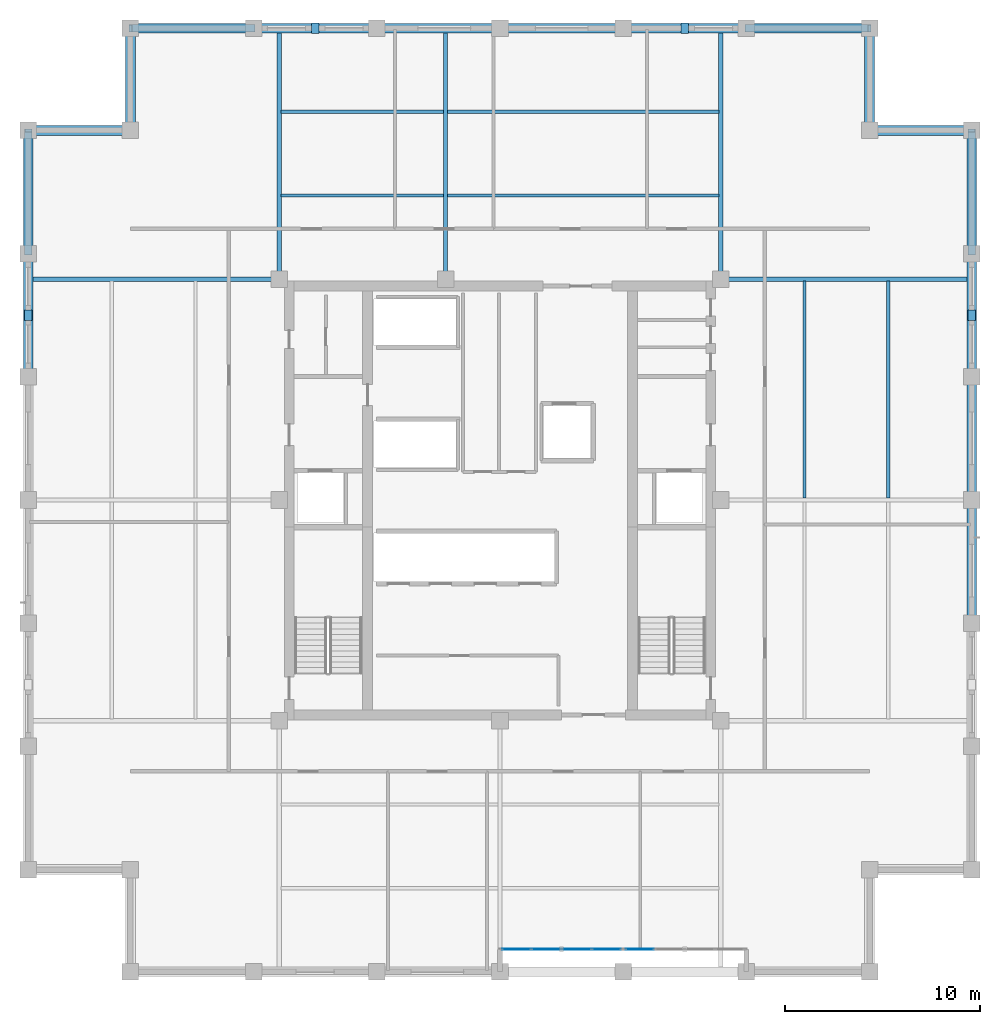
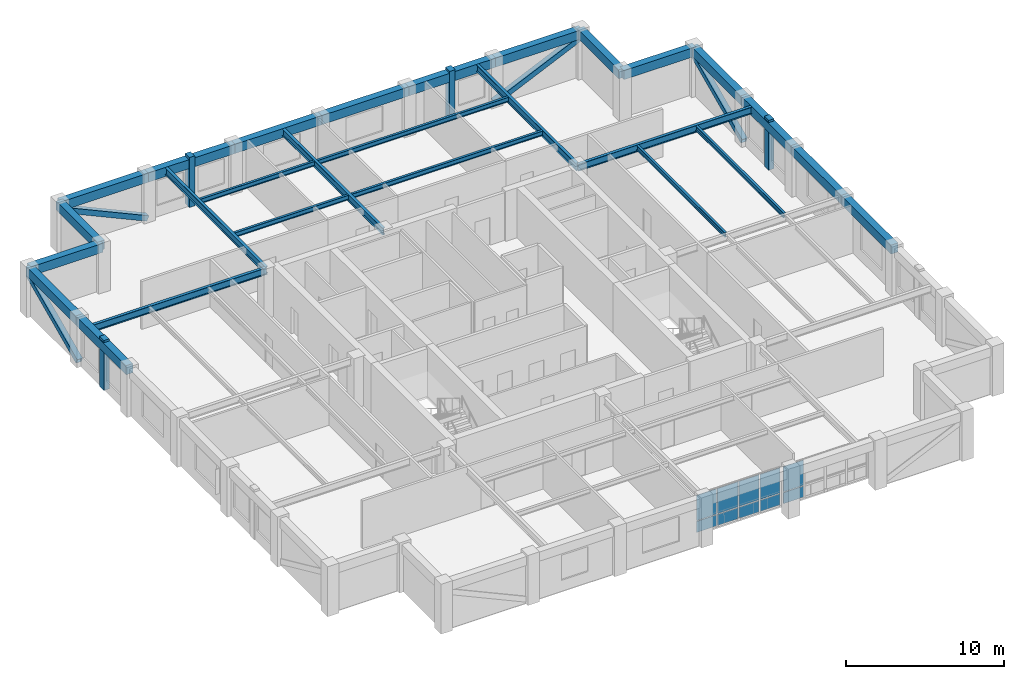
# One storey, part 5 of 13: 27 beams, 10 plates, 8 members, 2 elements without a shape of their own.
"""IFC4 building model written with IfcOpenShell, lengths in metres."""

from ifc_helpers import new_model, si_unit, direction, frame, origin, origin_2d, place, context, subcontext, project, spatial, rectangle, hollow_rectangle, i_section, extrude, material, layer, layer_set, material_profile, profile_set, type_object, element, aggregate, save


model = new_model("IFC4")

# Units and contexts
model_context = context("Model", 3, precision=1e-05, world=origin(), true_north=direction((0.0, 1.0)))
body_context = subcontext(model_context, "Body", "Model", "MODEL_VIEW")
ifc_project = project(units=[si_unit("LENGTHUNIT", "METRE"), si_unit("AREAUNIT", "SQUARE_METRE"), si_unit("VOLUMEUNIT", "CUBIC_METRE"), si_unit("PLANEANGLEUNIT", "RADIAN"), si_unit("MASSUNIT", "GRAM", prefix="KILO")], contexts=[model_context])

# Site, building, storey
site_placement = place(None, origin())
site = spatial("IfcSite", under=ifc_project, at=site_placement, CompositionType="ELEMENT")
building_placement = place(site_placement, origin())
building = spatial("IfcBuilding", under=site, at=building_placement, Name="Nhamokura Convention Tower", CompositionType="ELEMENT")
storey_placement = place(building_placement, frame((0.0, 0.0, 206.14990234375)))
storey = spatial("IfcBuildingStorey", under=building, at=storey_placement, Name="L50", CompositionType="ELEMENT", Elevation=206.14990234375)

# Members
ifc_material_1 = material(Name="Bronze-pigmented precast concrete C45/55", Category="concrete")
ifc_material_profile_1 = material_profile(ifc_material_1, rectangle(XDim=0.39990234375, YDim=0.550048828125, at=origin_2d()))
ifc_profile_set_1 = profile_set([ifc_material_profile_1], Name="Bronze-pigmented precast concrete C45/55")
member_type_1 = type_object("IfcMemberType", Name="BronzePilaster_550", PredefinedType="USERDEFINED", material=ifc_profile_set_1)
for number, where, z_axis, x_axis, name in (
    (1, (22.5, 56.25, 0.0), (0.0, 0.0, 1.0), (1.0, 0.0, 0.0), "L50 Engaged Frame Pilaster NORTH 1"),
    (2, (41.5, 56.25, 0.0), (0.0, 0.0, 1.0), (1.0, 0.0, 0.0), "L50 Engaged Frame Pilaster NORTH 4"),
    (3, (7.75, 41.5, 0.0), (0.0, 0.0, 1.0), (1.0, 0.0, 0.0), "L50 Engaged Frame Pilaster WEST 4"),
    (4, (56.25, 41.5, 0.0), (0.0, 0.0, 1.0), (1.0, 0.0, 0.0), "L50 Engaged Frame Pilaster EAST 4"),
):
    element("IfcMember", number, at=place(storey_placement, frame(where, z_axis=z_axis, x_axis=x_axis)), inside=storey, type_object=member_type_1, Name=name, ObjectType="PILASTER_TRIM", PredefinedType="USERDEFINED", context=body_context, shape_type="SweptSolid", body=[
        extrude(rectangle(XDim=0.39990234375, YDim=0.550048828125, at=origin_2d()), origin(), (0.0, 0.0, 1.0), 3.85009765625),
    ])

# Beams
ifc_material_2 = material(Name="Steel ASTM A992 Gr 50", Category="steel")
ifc_material_profile_2 = material_profile(ifc_material_2, i_section(OverallWidth=0.172119140625, OverallDepth=0.35791015625, WebThickness=0.0078125, FlangeThickness=0.01318359375, at=origin_2d()))
ifc_profile_set_2 = profile_set([ifc_material_profile_2], Name="Steel ASTM A992 Gr 50")
beam_type_1 = type_object("IfcBeamType", Name="FloorJoist_W360X57", PredefinedType="JOIST", material=ifc_profile_set_2)
beam_1_placement = place(storey_placement, frame((20.75341796875, 47.64990234375, 3.506103515625), z_axis=(1.0, 0.0, 0.0), x_axis=(0.0, 1.0, 0.0)))
element("IfcBeam", 5, at=beam_1_placement, inside=storey, type_object=beam_type_1, Name="L50 Composite Floor Joist N1A", PredefinedType="JOIST", context=body_context, shape_type="SweptSolid", body=[
    extrude(i_section(OverallWidth=0.172119140625, OverallDepth=0.35791015625, WebThickness=0.0078125, FlangeThickness=0.01318359375, at=origin_2d()), origin(), (0.0, 0.0, 1.0), 8.343017578125),
])
beam_2_placement = place(storey_placement, frame((29.303466796875, 47.64990234375, 3.506103515625), z_axis=(1.0, 0.0, 0.0), x_axis=(0.0, 1.0, 0.0)))
element("IfcBeam", 6, at=beam_2_placement, inside=storey, type_object=beam_type_1, Name="L50 Composite Floor Joist N1B", PredefinedType="JOIST", context=body_context, shape_type="SweptSolid", body=[
    extrude(i_section(OverallWidth=0.172119140625, OverallDepth=0.35791015625, WebThickness=0.0078125, FlangeThickness=0.01318359375, at=origin_2d()), origin(), (0.0, 0.0, 1.0), 13.943115234375),
])
beam_3_placement = place(storey_placement, frame((20.75341796875, 51.949951171875, 3.506103515625), z_axis=(1.0, 0.0, 0.0), x_axis=(0.0, 1.0, 0.0)))
element("IfcBeam", 7, at=beam_3_placement, inside=storey, type_object=beam_type_1, Name="L50 Composite Floor Joist N2A", PredefinedType="JOIST", context=body_context, shape_type="SweptSolid", body=[
    extrude(i_section(OverallWidth=0.172119140625, OverallDepth=0.35791015625, WebThickness=0.0078125, FlangeThickness=0.01318359375, at=origin_2d()), origin(), (0.0, 0.0, 1.0), 8.343017578125),
])
beam_4_placement = place(storey_placement, frame((29.303466796875, 51.949951171875, 3.506103515625), z_axis=(1.0, 0.0, 0.0), x_axis=(0.0, 1.0, 0.0)))
element("IfcBeam", 8, at=beam_4_placement, inside=storey, type_object=beam_type_1, Name="L50 Composite Floor Joist N2B", PredefinedType="JOIST", context=body_context, shape_type="SweptSolid", body=[
    extrude(i_section(OverallWidth=0.172119140625, OverallDepth=0.35791015625, WebThickness=0.0078125, FlangeThickness=0.01318359375, at=origin_2d()), origin(), (0.0, 0.0, 1.0), 13.943115234375),
])
for number, where, z_axis, x_axis, name in (
    (9, (47.64990234375, 32.103515625, 3.506103515625), (0.0, 1.0, 0.0), (-1.0, 0.0, 0.0), "L50 Composite Floor Joist E1B"),
    (10, (51.949951171875, 32.103515625, 3.506103515625), (0.0, 1.0, 0.0), (-1.0, 0.0, 0.0), "L50 Composite Floor Joist E2B"),
):
    element("IfcBeam", number, at=place(storey_placement, frame(where, z_axis=z_axis, x_axis=x_axis)), inside=storey, type_object=beam_type_1, Name=name, PredefinedType="JOIST", context=body_context, shape_type="SweptSolid", body=[
        extrude(i_section(OverallWidth=0.172119140625, OverallDepth=0.35791015625, WebThickness=0.0078125, FlangeThickness=0.01318359375, at=origin_2d()), origin(), (0.0, 0.0, 1.0), 11.14306640625),
    ])
ifc_material_3 = material(Name="Steel ASTM A992 Gr 50", Category="steel")
ifc_material_profile_3 = material_profile(ifc_material_3, i_section(OverallWidth=0.2109375, OverallDepth=0.5390625, WebThickness=0.01171875, FlangeThickness=0.018798828125, at=origin_2d()))
ifc_profile_set_3 = profile_set([ifc_material_profile_3], Name="Steel ASTM A992 Gr 50")
beam_type_2 = type_object("IfcBeamType", Name="PrimaryGirder_W530X109", PredefinedType="BEAM", material=ifc_profile_set_3)
for number, where, z_axis, x_axis, name in (
    (11, (20.64990234375, 43.35009765625, 3.41552734375), (0.0, 1.0, 0.0), (-1.0, 0.0, 0.0), "L50 Primary Floor Girder PG-N1"),
    (12, (29.199951171875, 43.35009765625, 3.41552734375), (0.0, 1.0, 0.0), (-1.0, 0.0, 0.0), "L50 Primary Floor Girder PG-N2"),
    (13, (43.35009765625, 43.35009765625, 3.41552734375), (0.0, 1.0, 0.0), (-1.0, 0.0, 0.0), "L50 Primary Floor Girder PG-N3"),
    (14, (7.75, 43.35009765625, 3.41552734375), (1.0, 0.0, 0.0), (0.0, 1.0, 0.0), "L50 Primary Floor Girder PG-W3"),
    (15, (43.35009765625, 43.35009765625, 3.41552734375), (1.0, 0.0, 0.0), (0.0, 1.0, 0.0), "L50 Primary Floor Girder PG-E3"),
):
    element("IfcBeam", number, at=place(storey_placement, frame(where, z_axis=z_axis, x_axis=x_axis)), inside=storey, type_object=beam_type_2, Name=name, PredefinedType="BEAM", context=body_context, shape_type="SweptSolid", body=[
        extrude(i_section(OverallWidth=0.2109375, OverallDepth=0.5390625, WebThickness=0.01171875, FlangeThickness=0.018798828125, at=origin_2d()), origin(), (0.0, 0.0, 1.0), 12.89990234375),
    ])

# Members
ifc_material_4 = material(Name="Steel ASTM A572 Gr 50", Category="steel")
ifc_material_profile_4 = material_profile(ifc_material_4, hollow_rectangle(XDim=0.39990234375, YDim=0.39990234375, WallThickness=0.02001953125, at=origin_2d()))
ifc_profile_set_4 = profile_set([ifc_material_profile_4], Name="Steel ASTM A572 Gr 50")
member_type_2 = type_object("IfcMemberType", Name="TubeBrace_HSS400", PredefinedType="BRACE", material=ifc_profile_set_4)
for number, where, z_axis, x_axis, name in (
    (16, (19.333251953125, 56.25, 0.150146484375), (-0.910027379678, 0.0, 0.41454814948), (0.0, -1.0, 0.0), "L50 Perimeter Tube Brace NORTH Bay 0"),
    (17, (44.666748046875, 56.25, 0.150146484375), (0.910027379678, 0.0, 0.41454814948), (0.0, 1.0, 0.0), "L50 Perimeter Tube Brace NORTH Bay 5"),
    (18, (7.75, 44.666748046875, 0.150146484375), (0.0, 0.910027379678, 0.41454814948), (-1.0, 0.0, 0.0), "L50 Perimeter Tube Brace WEST Bay 5"),
    (19, (56.25, 44.666748046875, 0.150146484375), (0.0, 0.910027379678, 0.41454814948), (-1.0, 0.0, 0.0), "L50 Perimeter Tube Brace EAST Bay 5"),
):
    element("IfcMember", number, at=place(storey_placement, frame(where, z_axis=z_axis, x_axis=x_axis)), inside=storey, type_object=member_type_2, Name=name, PredefinedType="BRACE", context=body_context, shape_type="SweptSolid", body=[
        extrude(hollow_rectangle(XDim=0.39990234375, YDim=0.39990234375, WallThickness=0.02001953125, at=origin_2d()), origin(), (0.0, 0.0, 1.0), 6.95947265625),
    ])

# Beams
ifc_material_5 = material(Name="Concrete C50/60", Category="concrete")
ifc_material_profile_5 = material_profile(ifc_material_5, rectangle(XDim=0.5, YDim=0.699951171875, at=origin_2d()))
ifc_profile_set_5 = profile_set([ifc_material_profile_5], Name="Concrete C50/60")
beam_type_3 = type_object("IfcBeamType", Name="TubeSpandrel_700", PredefinedType="SPANDREL", material=ifc_profile_set_5)
beam_5_placement = place(storey_placement, frame((13.0, 56.25, 3.335205078125), z_axis=(1.0, 0.0, 0.0), x_axis=(0.0, 1.0, 0.0)))
element("IfcBeam", 20, at=beam_5_placement, inside=storey, type_object=beam_type_3, Name="L50 Perimeter Spandrel NORTH 1", PredefinedType="SPANDREL", context=body_context, shape_type="SweptSolid", body=[
    extrude(rectangle(XDim=0.5, YDim=0.699951171875, at=origin_2d()), origin(), (0.0, 0.0, 1.0), 6.333251953125),
])
beam_6_placement = place(storey_placement, frame((19.333251953125, 56.25, 3.335205078125), z_axis=(1.0, 0.0, 0.0), x_axis=(0.0, 1.0, 0.0)))
element("IfcBeam", 21, at=beam_6_placement, inside=storey, type_object=beam_type_3, Name="L50 Perimeter Spandrel NORTH 2", PredefinedType="SPANDREL", context=body_context, shape_type="SweptSolid", body=[
    extrude(rectangle(XDim=0.5, YDim=0.699951171875, at=origin_2d()), origin(), (0.0, 0.0, 1.0), 6.33349609375),
])
for number, where, z_axis, x_axis, name in (
    (22, (25.666748046875, 56.25, 3.335205078125), (1.0, 0.0, 0.0), (0.0, 1.0, 0.0), "L50 Perimeter Spandrel NORTH 3"),
    (23, (32.0, 56.25, 3.335205078125), (1.0, 0.0, 0.0), (0.0, 1.0, 0.0), "L50 Perimeter Spandrel NORTH 4"),
):
    element("IfcBeam", number, at=place(storey_placement, frame(where, z_axis=z_axis, x_axis=x_axis)), inside=storey, type_object=beam_type_3, Name=name, PredefinedType="SPANDREL", context=body_context, shape_type="SweptSolid", body=[
        extrude(rectangle(XDim=0.5, YDim=0.699951171875, at=origin_2d()), origin(), (0.0, 0.0, 1.0), 6.333251953125),
    ])
beam_7_placement = place(storey_placement, frame((38.333251953125, 56.25, 3.335205078125), z_axis=(1.0, 0.0, 0.0), x_axis=(0.0, 1.0, 0.0)))
element("IfcBeam", 24, at=beam_7_placement, inside=storey, type_object=beam_type_3, Name="L50 Perimeter Spandrel NORTH 5", PredefinedType="SPANDREL", context=body_context, shape_type="SweptSolid", body=[
    extrude(rectangle(XDim=0.5, YDim=0.699951171875, at=origin_2d()), origin(), (0.0, 0.0, 1.0), 6.33349609375),
])
beam_8_placement = place(storey_placement, frame((44.666748046875, 56.25, 3.335205078125), z_axis=(1.0, 0.0, 0.0), x_axis=(0.0, 1.0, 0.0)))
element("IfcBeam", 25, at=beam_8_placement, inside=storey, type_object=beam_type_3, Name="L50 Perimeter Spandrel NORTH 6", PredefinedType="SPANDREL", context=body_context, shape_type="SweptSolid", body=[
    extrude(rectangle(XDim=0.5, YDim=0.699951171875, at=origin_2d()), origin(), (0.0, 0.0, 1.0), 6.333251953125),
])
beam_9_placement = place(storey_placement, frame((7.75, 38.333251953125, 3.335205078125), z_axis=(0.0, 1.0, 0.0), x_axis=(-1.0, 0.0, 0.0)))
element("IfcBeam", 26, at=beam_9_placement, inside=storey, type_object=beam_type_3, Name="L50 Perimeter Spandrel WEST 5", PredefinedType="SPANDREL", context=body_context, shape_type="SweptSolid", body=[
    extrude(rectangle(XDim=0.5, YDim=0.699951171875, at=origin_2d()), origin(), (0.0, 0.0, 1.0), 6.33349609375),
])
for number, where, z_axis, x_axis, name in (
    (27, (7.75, 44.666748046875, 3.335205078125), (0.0, 1.0, 0.0), (-1.0, 0.0, 0.0), "L50 Perimeter Spandrel WEST 6"),
    (28, (56.25, 25.666748046875, 3.335205078125), (0.0, 1.0, 0.0), (-1.0, 0.0, 0.0), "L50 Perimeter Spandrel EAST 3"),
    (29, (56.25, 32.0, 3.335205078125), (0.0, 1.0, 0.0), (-1.0, 0.0, 0.0), "L50 Perimeter Spandrel EAST 4"),
):
    element("IfcBeam", number, at=place(storey_placement, frame(where, z_axis=z_axis, x_axis=x_axis)), inside=storey, type_object=beam_type_3, Name=name, PredefinedType="SPANDREL", context=body_context, shape_type="SweptSolid", body=[
        extrude(rectangle(XDim=0.5, YDim=0.699951171875, at=origin_2d()), origin(), (0.0, 0.0, 1.0), 6.333251953125),
    ])
beam_10_placement = place(storey_placement, frame((56.25, 38.333251953125, 3.335205078125), z_axis=(0.0, 1.0, 0.0), x_axis=(-1.0, 0.0, 0.0)))
element("IfcBeam", 30, at=beam_10_placement, inside=storey, type_object=beam_type_3, Name="L50 Perimeter Spandrel EAST 5", PredefinedType="SPANDREL", context=body_context, shape_type="SweptSolid", body=[
    extrude(rectangle(XDim=0.5, YDim=0.699951171875, at=origin_2d()), origin(), (0.0, 0.0, 1.0), 6.33349609375),
])
beam_11_placement = place(storey_placement, frame((56.25, 44.666748046875, 3.335205078125), z_axis=(0.0, 1.0, 0.0), x_axis=(-1.0, 0.0, 0.0)))
element("IfcBeam", 31, at=beam_11_placement, inside=storey, type_object=beam_type_3, Name="L50 Perimeter Spandrel EAST 6", PredefinedType="SPANDREL", context=body_context, shape_type="SweptSolid", body=[
    extrude(rectangle(XDim=0.5, YDim=0.699951171875, at=origin_2d()), origin(), (0.0, 0.0, 1.0), 6.333251953125),
])
for number, where, z_axis, x_axis, name in (
    (32, (56.25, 51.0, 3.335205078125), (-1.0, 0.0, 0.0), (0.0, -1.0, 0.0), "L50 Notch Spandrel NE1"),
    (33, (51.0, 51.0, 3.335205078125), (0.0, 1.0, 0.0), (-1.0, 0.0, 0.0), "L50 Notch Spandrel NE2"),
    (34, (13.0, 56.25, 3.335205078125), (0.0, -1.0, 0.0), (1.0, 0.0, 0.0), "L50 Notch Spandrel NW1"),
    (35, (13.0, 51.0, 3.335205078125), (-1.0, 0.0, 0.0), (0.0, -1.0, 0.0), "L50 Notch Spandrel NW2"),
):
    element("IfcBeam", number, at=place(storey_placement, frame(where, z_axis=z_axis, x_axis=x_axis)), inside=storey, type_object=beam_type_3, Name=name, PredefinedType="SPANDREL", context=body_context, shape_type="SweptSolid", body=[
        extrude(rectangle(XDim=0.5, YDim=0.699951171875, at=origin_2d()), origin(), (0.0, 0.0, 1.0), 5.25),
    ])

# Curtain wall, plates
ifc_material_6 = material(Name="Anodised bronze aluminium AA6063-T6", Category="aluminium")
ifc_layer_1 = layer(ifc_material_6, 0.155029296875)
ifc_layer_set_1 = layer_set([ifc_layer_1], Name="CWSystem_ScaleSlot_Zone3")
curtain_wall_type = type_object("IfcCurtainWallType", Name="CWSystem_ScaleSlot_Zone3", PredefinedType="NOTDEFINED", material=ifc_layer_set_1)
curtain_wall_1_placement = place(storey_placement, origin())
curtain_wall_1 = element("IfcCurtainWall", 36, at=curtain_wall_1_placement, inside=storey, type_object=curtain_wall_type, Name="L50 Curtain Wall ENV-L50-SLOT-S3", PredefinedType="NOTDEFINED")
ifc_material_7 = material(Name="Solar-control bronze low-E double glass", Category="glass")
ifc_layer_2 = layer(ifc_material_7, 0.0400390625)
ifc_layer_set_2 = layer_set([ifc_layer_2], Name="CWGlazedPanel_3")
plate_type = type_object("IfcPlateType", Name="CWGlazedPanel_3", PredefinedType="CURTAIN_PANEL", material=ifc_layer_set_2)
plate_1_placement = place(storey_placement, frame((37.48046875, 8.89990234375, 0.065185546875), z_axis=(0.0, 0.0, 1.0), x_axis=(-1.0, 0.0, 0.0)))
plate_1 = element("IfcPlate", 37, at=plate_1_placement, type_object=plate_type, Name="CW-05 panel 1.1", PredefinedType="CURTAIN_PANEL", context=body_context, shape_type="SweptSolid", body=[
    extrude(rectangle(XDim=1.455810546875, YDim=0.0400390625, at=origin_2d()), origin(), (0.0, 0.0, 1.0), 0.8525390625),
])
plate_2_placement = place(storey_placement, frame((37.48046875, 8.89990234375, 0.982666015625), z_axis=(0.0, 0.0, 1.0), x_axis=(-1.0, 0.0, 0.0)))
plate_2 = element("IfcPlate", 38, at=plate_2_placement, type_object=plate_type, Name="CW-05 panel 1.2", PredefinedType="CURTAIN_PANEL", context=body_context, shape_type="SweptSolid", body=[
    extrude(rectangle(XDim=1.455810546875, YDim=0.0400390625, at=origin_2d()), origin(), (0.0, 0.0, 1.0), 1.9375),
])
plate_3_placement = place(storey_placement, frame((35.943359375, 8.89990234375, 0.065185546875), z_axis=(0.0, 0.0, 1.0), x_axis=(-1.0, 0.0, 0.0)))
plate_3 = element("IfcPlate", 39, at=plate_3_placement, type_object=plate_type, Name="CW-05 panel 2.1", PredefinedType="CURTAIN_PANEL", context=body_context, shape_type="SweptSolid", body=[
    extrude(rectangle(XDim=1.48828125, YDim=0.0400390625, at=origin_2d()), origin(), (0.0, 0.0, 1.0), 0.8525390625),
])
plate_4_placement = place(storey_placement, frame((35.943359375, 8.89990234375, 0.982666015625), z_axis=(0.0, 0.0, 1.0), x_axis=(-1.0, 0.0, 0.0)))
plate_4 = element("IfcPlate", 40, at=plate_4_placement, type_object=plate_type, Name="CW-05 panel 2.2", PredefinedType="CURTAIN_PANEL", context=body_context, shape_type="SweptSolid", body=[
    extrude(rectangle(XDim=1.48828125, YDim=0.0400390625, at=origin_2d()), origin(), (0.0, 0.0, 1.0), 1.9375),
])
plate_5_placement = place(storey_placement, frame((34.389892578125, 8.89990234375, 0.065185546875), z_axis=(0.0, 0.0, 1.0), x_axis=(-1.0, 0.0, 0.0)))
plate_5 = element("IfcPlate", 41, at=plate_5_placement, type_object=plate_type, Name="CW-05 panel 3.1", PredefinedType="CURTAIN_PANEL", context=body_context, shape_type="SweptSolid", body=[
    extrude(rectangle(XDim=1.48828125, YDim=0.0400390625, at=origin_2d()), origin(), (0.0, 0.0, 1.0), 0.8525390625),
])
plate_6_placement = place(storey_placement, frame((34.389892578125, 8.89990234375, 0.982666015625), z_axis=(0.0, 0.0, 1.0), x_axis=(-1.0, 0.0, 0.0)))
plate_6 = element("IfcPlate", 42, at=plate_6_placement, type_object=plate_type, Name="CW-05 panel 3.2", PredefinedType="CURTAIN_PANEL", context=body_context, shape_type="SweptSolid", body=[
    extrude(rectangle(XDim=1.48828125, YDim=0.0400390625, at=origin_2d()), origin(), (0.0, 0.0, 1.0), 1.9375),
])
plate_7_placement = place(storey_placement, frame((32.85302734375, 8.89990234375, 0.065185546875), z_axis=(0.0, 0.0, 1.0), x_axis=(-1.0, 0.0, 0.0)))
plate_7 = element("IfcPlate", 43, at=plate_7_placement, type_object=plate_type, Name="CW-05 panel 4.1", PredefinedType="CURTAIN_PANEL", context=body_context, shape_type="SweptSolid", body=[
    extrude(rectangle(XDim=1.455810546875, YDim=0.0400390625, at=origin_2d()), origin(), (0.0, 0.0, 1.0), 0.8525390625),
])
plate_8_placement = place(storey_placement, frame((32.85302734375, 8.89990234375, 0.982666015625), z_axis=(0.0, 0.0, 1.0), x_axis=(-1.0, 0.0, 0.0)))
plate_8 = element("IfcPlate", 44, at=plate_8_placement, type_object=plate_type, Name="CW-05 panel 4.2", PredefinedType="CURTAIN_PANEL", context=body_context, shape_type="SweptSolid", body=[
    extrude(rectangle(XDim=1.455810546875, YDim=0.0400390625, at=origin_2d()), origin(), (0.0, 0.0, 1.0), 1.9375),
])
aggregate(curtain_wall_1, [plate_1, plate_2, plate_3, plate_4, plate_5, plate_6, plate_7, plate_8])

curtain_wall_2_placement = place(storey_placement, origin())
curtain_wall_2 = element("IfcCurtainWall", 45, at=curtain_wall_2_placement, inside=storey, type_object=curtain_wall_type, Name="L50 Curtain Wall ENV-L50-SLOT-S4", PredefinedType="NOTDEFINED")
plate_9_placement = place(storey_placement, frame((39.186279296875, 8.89990234375, 0.065185546875), z_axis=(0.0, 0.0, 1.0), x_axis=(-1.0, 0.0, 0.0)))
plate_9 = element("IfcPlate", 46, at=plate_9_placement, type_object=plate_type, Name="CW-05 panel 4.1", PredefinedType="CURTAIN_PANEL", context=body_context, shape_type="SweptSolid", body=[
    extrude(rectangle(XDim=1.455810546875, YDim=0.0400390625, at=origin_2d()), origin(), (0.0, 0.0, 1.0), 0.8525390625),
])
plate_10_placement = place(storey_placement, frame((39.186279296875, 8.89990234375, 0.982666015625), z_axis=(0.0, 0.0, 1.0), x_axis=(-1.0, 0.0, 0.0)))
plate_10 = element("IfcPlate", 47, at=plate_10_placement, type_object=plate_type, Name="CW-05 panel 4.2", PredefinedType="CURTAIN_PANEL", context=body_context, shape_type="SweptSolid", body=[
    extrude(rectangle(XDim=1.455810546875, YDim=0.0400390625, at=origin_2d()), origin(), (0.0, 0.0, 1.0), 1.9375),
])
aggregate(curtain_wall_2, [plate_9, plate_10])

save(model, "model.ifc")
